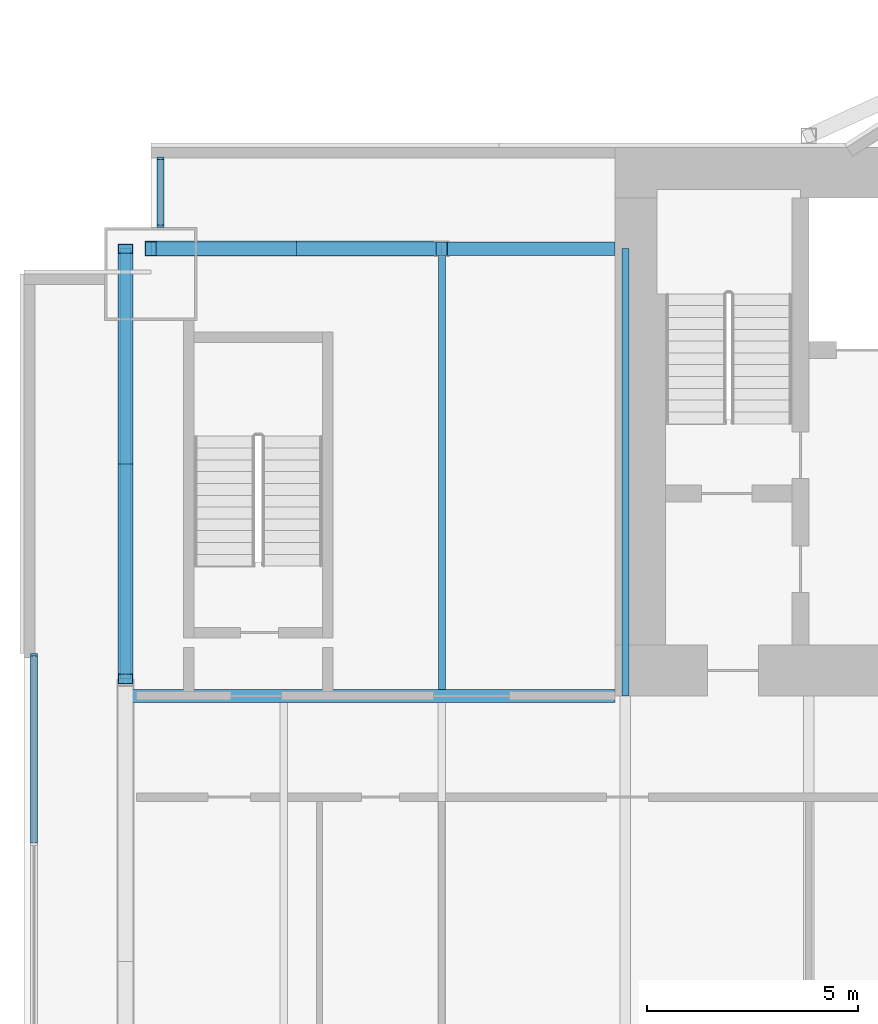
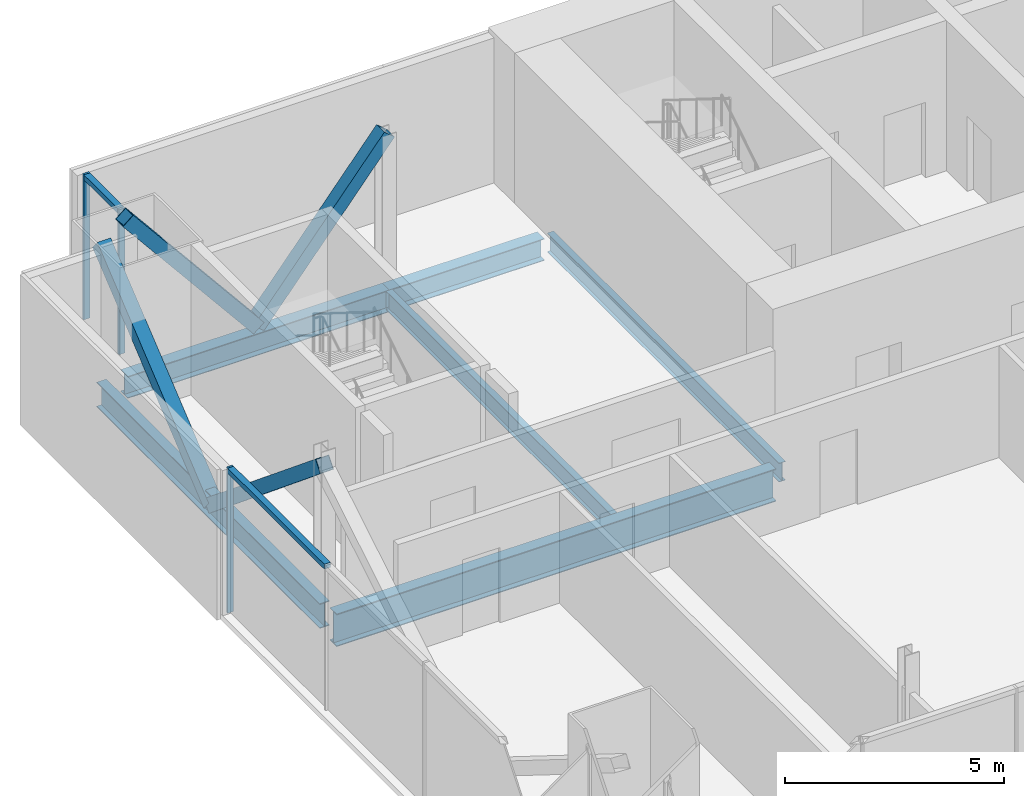
# One storey, part 7 of 19: 9 members, 6 beams, 2 elements without a shape of their own.
"""IFC4 building model written with IfcOpenShell, lengths in metres."""

from ifc_helpers import new_model, si_unit, direction, frame, origin, origin_2d, place, context, subcontext, project, spatial, rectangle, hollow_rectangle, i_section, extrude, material, material_profile, profile_set, type_object, element, aggregate, save


model = new_model("IFC4")

# Units and contexts
model_context = context("Model", 3, precision=1e-05, world=origin(), true_north=direction((0.0, 1.0)))
body_context = subcontext(model_context, "Body", "Model", "MODEL_VIEW")
ifc_project = project(units=[si_unit("LENGTHUNIT", "METRE"), si_unit("AREAUNIT", "SQUARE_METRE"), si_unit("VOLUMEUNIT", "CUBIC_METRE"), si_unit("PLANEANGLEUNIT", "RADIAN"), si_unit("MASSUNIT", "GRAM", prefix="KILO")], contexts=[model_context])

# Site, building, storey
site_placement = place(None, origin())
site = spatial("IfcSite", under=ifc_project, at=site_placement, CompositionType="ELEMENT")
building_placement = place(site_placement, origin())
building = spatial("IfcBuilding", under=site, at=building_placement, Name="Bicima Exchange Tower", CompositionType="ELEMENT")
storey_placement = place(building_placement, frame((0.0, 0.0, 266.60009765625)))
storey = spatial("IfcBuildingStorey", under=building, at=storey_placement, Name="L60", CompositionType="ELEMENT", Elevation=266.60009765625)

# Beam
ifc_material_1 = material(Name="Steel ASTM A992 Gr 50", Category="steel")
ifc_material_profile_1 = material_profile(ifc_material_1, i_section(OverallWidth=0.3046875, OverallDepth=0.911865234375, WebThickness=0.015869140625, FlangeThickness=0.02392578125, at=origin_2d()))
ifc_profile_set_1 = profile_set([ifc_material_profile_1], Name="Steel ASTM A992 Gr 50")
beam_type_1 = type_object("IfcBeamType", Name="Core-line girder W36x150", PredefinedType="BEAM", material=ifc_profile_set_1)
beam_1_placement = place(storey_placement, frame((-22.0, -13.0, -0.60595703125), z_axis=(-1.0, 0.0, 0.0), x_axis=(0.0, -1.0, 0.0)))
element("IfcBeam", 1, at=beam_1_placement, inside=storey, type_object=beam_type_1, Name="Core-line girder", PredefinedType="BEAM", context=body_context, shape_type="SweptSolid", body=[
    extrude(i_section(OverallWidth=0.3046875, OverallDepth=0.911865234375, WebThickness=0.015869140625, FlangeThickness=0.02392578125, at=origin_2d()), origin(), (0.0, 0.0, 1.0), 11.60009765625),
])

# Curtain wall, members
ifc_material_2 = material(Name="Anodised bronze aluminium", Category="aluminium")
curtain_wall_type_1 = type_object("IfcCurtainWallType", Name="End face glass wall", PredefinedType="NOTDEFINED", material=ifc_material_2)
curtain_wall_1_placement = place(storey_placement, origin())
curtain_wall_1 = element("IfcCurtainWall", 2, at=curtain_wall_1_placement, inside=storey, type_object=curtain_wall_type_1, Name="End face glass wall L60 run 2", PredefinedType="NOTDEFINED")
ifc_material_profile_2 = material_profile(ifc_material_2, rectangle(XDim=0.159912109375, YDim=0.06005859375, at=origin_2d()))
ifc_profile_set_2 = profile_set([ifc_material_profile_2], Name="Anodised bronze aluminium")
member_type_1 = type_object("IfcMemberType", Name="End face glass wall mullion 60 x 160", PredefinedType="MULLION", material=ifc_profile_set_2)
member_1_placement = place(storey_placement, frame((-35.77001953125, -12.030029296875, 0.0), z_axis=(0.0, 0.0, 1.0), x_axis=(1.0, 0.0, 0.0)))
member_1 = element("IfcMember", 3, at=member_1_placement, type_object=member_type_1, Name="End face glass wall mullion 1", PredefinedType="MULLION", context=body_context, shape_type="SweptSolid", body=[
    extrude(rectangle(XDim=0.159912109375, YDim=0.06005859375, at=origin_2d()), origin(), (0.0, 0.0, 1.0), 4.0498046875),
])
ifc_material_profile_3 = material_profile(ifc_material_2, rectangle(XDim=0.159912109375, YDim=0.139892578125, at=origin_2d()))
ifc_profile_set_3 = profile_set([ifc_material_profile_3], Name="Anodised bronze aluminium")
member_type_2 = type_object("IfcMemberType", Name="End face glass wall transom 140 x 160", PredefinedType="USERDEFINED", material=ifc_profile_set_3)
member_2_placement = place(storey_placement, frame((-35.77001953125, -12.06005859375, 3.97998046875), z_axis=(0.0, -1.0, 0.0), x_axis=(1.0, 0.0, 0.0)))
member_2 = element("IfcMember", 4, at=member_2_placement, type_object=member_type_2, Name="End face glass wall transom 1.1", ObjectType="TRANSOM", PredefinedType="USERDEFINED", context=body_context, shape_type="SweptSolid", body=[
    extrude(rectangle(XDim=0.159912109375, YDim=0.139892578125, at=origin_2d()), origin(), (0.0, 0.0, 1.0), 4.424560546875),
])
aggregate(curtain_wall_1, [member_1, member_2])

# Beams
ifc_material_profile_4 = material_profile(ifc_material_1, i_section(OverallWidth=0.256591796875, OverallDepth=0.693359375, WebThickness=0.014404296875, FlangeThickness=0.023681640625, at=origin_2d()))
ifc_profile_set_4 = profile_set([ifc_material_profile_4], Name="Steel ASTM A992 Gr 50")
beam_type_2 = type_object("IfcBeamType", Name="End girder W27x114", PredefinedType="BEAM", material=ifc_profile_set_4)
beam_2_placement = place(storey_placement, frame((-33.60009765625, -2.39990234375, -0.496826171875), z_axis=(0.0, -1.0, 0.0), x_axis=(1.0, 0.0, 0.0)))
element("IfcBeam", 5, at=beam_2_placement, inside=storey, type_object=beam_type_2, Name="End girder", PredefinedType="BEAM", context=body_context, shape_type="SweptSolid", body=[
    extrude(i_section(OverallWidth=0.256591796875, OverallDepth=0.693359375, WebThickness=0.014404296875, FlangeThickness=0.023681640625, at=origin_2d()), origin(), (0.0, 0.0, 1.0), 10.2001953125),
])
ifc_material_profile_5 = material_profile(ifc_material_1, i_section(OverallWidth=0.165771484375, OverallDepth=0.5283203125, WebThickness=0.009765625, FlangeThickness=0.013671875, at=origin_2d()))
ifc_profile_set_5 = profile_set([ifc_material_profile_5], Name="Steel ASTM A992 Gr 50")
beam_type_3 = type_object("IfcBeamType", Name="Floor beam W21x50", PredefinedType="JOIST", material=ifc_profile_set_5)
beam_3_placement = place(storey_placement, frame((-26.10009765625, -2.5625, -0.414306640625), z_axis=(0.0, -1.0, 0.0), x_axis=(1.0, 0.0, 0.0)))
element("IfcBeam", 6, at=beam_3_placement, inside=storey, type_object=beam_type_3, Name="Floor beam", PredefinedType="JOIST", context=body_context, shape_type="SweptSolid", body=[
    extrude(i_section(OverallWidth=0.165771484375, OverallDepth=0.5283203125, WebThickness=0.009765625, FlangeThickness=0.013671875, at=origin_2d()), origin(), (0.0, 0.0, 1.0), 10.28515625),
])
beam_4_placement = place(storey_placement, frame((-21.75, -2.39990234375, -0.414306640625), z_axis=(0.0, -1.0, 0.0), x_axis=(1.0, 0.0, 0.0)))
element("IfcBeam", 7, at=beam_4_placement, inside=storey, type_object=beam_type_3, Name="Floor beam", PredefinedType="JOIST", context=body_context, shape_type="SweptSolid", body=[
    extrude(i_section(OverallWidth=0.165771484375, OverallDepth=0.5283203125, WebThickness=0.009765625, FlangeThickness=0.013671875, at=origin_2d()), origin(), (0.0, 0.0, 1.0), 10.60009765625),
])

# Curtain wall, members
curtain_wall_type_2 = type_object("IfcCurtainWallType", Name="Front glass wall", PredefinedType="NOTDEFINED", material=ifc_material_2)
curtain_wall_2_placement = place(storey_placement, origin())
curtain_wall_2 = element("IfcCurtainWall", 8, at=curtain_wall_2_placement, inside=storey, type_object=curtain_wall_type_2, Name="Front glass wall L60 run 1", PredefinedType="NOTDEFINED")
member_type_3 = type_object("IfcMemberType", Name="Front glass wall mullion 60 x 160", PredefinedType="MULLION", material=ifc_profile_set_2)
member_3_placement = place(storey_placement, frame((-32.77001953125, -0.260009765625, 0.0), z_axis=(0.0, 0.0, 1.0), x_axis=(1.0, 0.0, 0.0)))
member_3 = element("IfcMember", 9, at=member_3_placement, type_object=member_type_3, Name="Front glass wall mullion 1", PredefinedType="MULLION", context=body_context, shape_type="SweptSolid", body=[
    extrude(rectangle(XDim=0.159912109375, YDim=0.06005859375, at=origin_2d()), origin(), (0.0, 0.0, 1.0), 4.0498046875),
])
member_4_placement = place(storey_placement, frame((-32.77001953125, -1.8701171875, 0.0), z_axis=(0.0, 0.0, 1.0), x_axis=(1.0, 0.0, 0.0)))
member_4 = element("IfcMember", 10, at=member_4_placement, type_object=member_type_3, Name="Front glass wall mullion 2", PredefinedType="MULLION", context=body_context, shape_type="SweptSolid", body=[
    extrude(rectangle(XDim=0.159912109375, YDim=0.06005859375, at=origin_2d()), origin(), (0.0, 0.0, 1.0), 4.0498046875),
])
member_type_4 = type_object("IfcMemberType", Name="Front glass wall transom 140 x 160", PredefinedType="USERDEFINED", material=ifc_profile_set_3)
member_5_placement = place(storey_placement, frame((-32.77001953125, -0.2900390625, 3.97998046875), z_axis=(0.0, -1.0, 0.0), x_axis=(1.0, 0.0, 0.0)))
member_5 = element("IfcMember", 11, at=member_5_placement, type_object=member_type_4, Name="Front glass wall transom 1.1", ObjectType="TRANSOM", PredefinedType="USERDEFINED", context=body_context, shape_type="SweptSolid", body=[
    extrude(rectangle(XDim=0.159912109375, YDim=0.139892578125, at=origin_2d()), origin(), (0.0, 0.0, 1.0), 1.550048828125),
])
aggregate(curtain_wall_2, [member_3, member_4, member_5])

# Members
ifc_material_3 = material(Name="Steel ASTM A572 Gr 50", Category="steel")
ifc_material_profile_6 = material_profile(ifc_material_3, hollow_rectangle(XDim=0.355712890625, YDim=0.355712890625, WallThickness=0.0146484375, at=origin_2d()))
ifc_profile_set_6 = profile_set([ifc_material_profile_6], Name="Steel ASTM A572 Gr 50")
member_type_5 = type_object("IfcMemberType", Name="Mega brace HSS14x14x5/8", PredefinedType="BRACE", material=ifc_profile_set_6)
for number, where, z_axis, x_axis, name in (
    (12, (-29.550048828125, -2.39990234375, 0.0), (0.63473846547, 0.0, 0.772727041362), (0.0, 1.0, 0.0), "Mega brace rear"),
    (13, (-29.550048828125, -2.39990234375, 0.0), (-0.63473846547, 0.0, 0.772727041362), (0.0, -1.0, 0.0), "Mega brace rear"),
):
    element("IfcMember", number, at=place(storey_placement, frame(where, z_axis=z_axis, x_axis=x_axis)), inside=storey, type_object=member_type_5, Name=name, PredefinedType="BRACE", context=body_context, shape_type="SweptSolid", body=[
        extrude(hollow_rectangle(XDim=0.355712890625, YDim=0.355712890625, WallThickness=0.0146484375, at=origin_2d()), origin(), (0.0, 0.0, 1.0), 5.435302734375),
    ])
for number, where, z_axis, x_axis, name in (
    (14, (-33.60009765625, -7.5, -0.496826171875), (0.0, -0.771939835586, 0.635695595576), (1.0, 0.0, 0.0), "Mega brace west end"),
    (15, (-33.60009765625, -7.5, -0.496826171875), (0.0, 0.771939835586, 0.635695595576), (-1.0, 0.0, 0.0), "Mega brace west end"),
):
    element("IfcMember", number, at=place(storey_placement, frame(where, z_axis=z_axis, x_axis=x_axis)), inside=storey, type_object=member_type_5, Name=name, PredefinedType="BRACE", context=body_context, shape_type="SweptSolid", body=[
        extrude(hollow_rectangle(XDim=0.355712890625, YDim=0.355712890625, WallThickness=0.0146484375, at=origin_2d()), origin(), (0.0, 0.0, 1.0), 6.60693359375),
    ])

# Beams
ifc_material_profile_7 = material_profile(ifc_material_1, i_section(OverallWidth=0.3251953125, OverallDepth=0.612060546875, WebThickness=0.0126953125, FlangeThickness=0.01904296875, at=origin_2d()))
ifc_profile_set_7 = profile_set([ifc_material_profile_7], Name="Steel ASTM A992 Gr 50")
beam_type_4 = type_object("IfcBeamType", Name="Rear girder W24x104", PredefinedType="BEAM", material=ifc_profile_set_7)
beam_5_placement = place(storey_placement, frame((-22.0, -2.39990234375, -0.456298828125), z_axis=(-1.0, 0.0, 0.0), x_axis=(0.0, -1.0, 0.0)))
element("IfcBeam", 16, at=beam_5_placement, inside=storey, type_object=beam_type_4, Name="Rear girder", PredefinedType="BEAM", context=body_context, shape_type="SweptSolid", body=[
    extrude(i_section(OverallWidth=0.3251953125, OverallDepth=0.612060546875, WebThickness=0.0126953125, FlangeThickness=0.01904296875, at=origin_2d()), origin(), (0.0, 0.0, 1.0), 4.10009765625),
])
beam_6_placement = place(storey_placement, frame((-26.10009765625, -2.39990234375, -0.456298828125), z_axis=(-1.0, 0.0, 0.0), x_axis=(0.0, -1.0, 0.0)))
element("IfcBeam", 17, at=beam_6_placement, inside=storey, type_object=beam_type_4, Name="Rear girder", PredefinedType="BEAM", context=body_context, shape_type="SweptSolid", body=[
    extrude(i_section(OverallWidth=0.3251953125, OverallDepth=0.612060546875, WebThickness=0.0126953125, FlangeThickness=0.01904296875, at=origin_2d()), origin(), (0.0, 0.0, 1.0), 6.89990234375),
])

save(model, "model.ifc")
